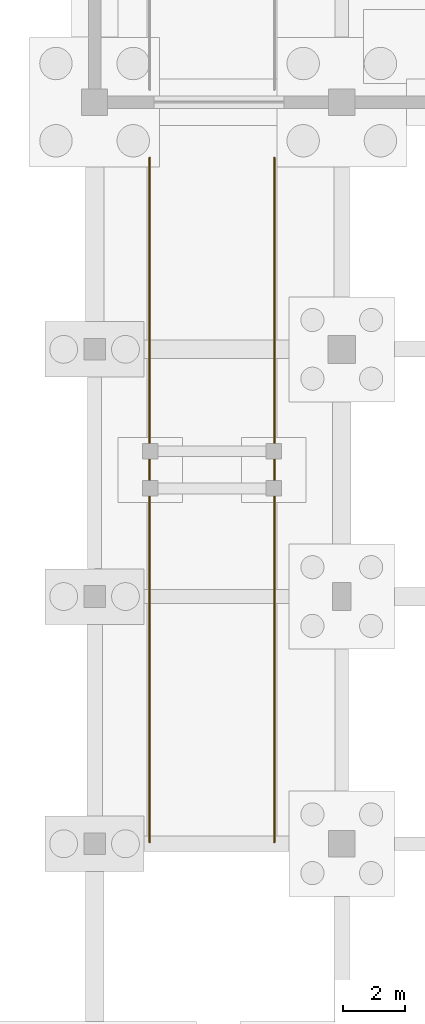
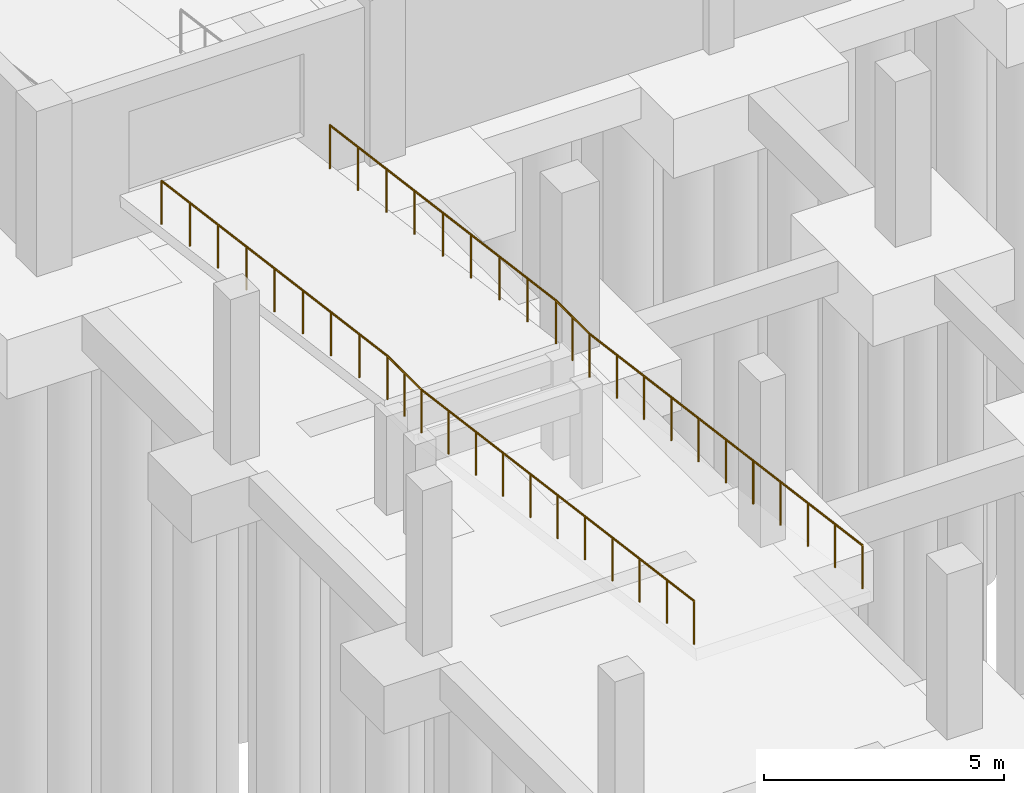
# One storey, part 27 of 32: 2 railings, 1 element without a shape of its own.
"""IFC4 building model written with IfcOpenShell, lengths in metres."""

from ifc_helpers import new_model, si_unit, direction, frame, origin, origin_2d, place, context, subcontext, project, spatial, circle, extrude, material, layer, layer_set, type_object, element, aggregate, save


model = new_model("IFC4")

# Units and contexts
model_context = context("Model", 3, precision=1e-05, world=origin(), true_north=direction((0.0, 1.0)))
body_context = subcontext(model_context, "Body", "Model", "MODEL_VIEW")
ifc_project = project(units=[si_unit("LENGTHUNIT", "METRE"), si_unit("AREAUNIT", "SQUARE_METRE"), si_unit("VOLUMEUNIT", "CUBIC_METRE"), si_unit("PLANEANGLEUNIT", "RADIAN"), si_unit("MASSUNIT", "GRAM", prefix="KILO")], contexts=[model_context])

# Site, building, storey
site_placement = place(None, origin())
site = spatial("IfcSite", under=ifc_project, at=site_placement, CompositionType="ELEMENT")
building_placement = place(site_placement, origin())
building = spatial("IfcBuilding", under=site, at=building_placement, Name="Tenunan Teduh Sports Hall", CompositionType="ELEMENT")
storey_placement = place(building_placement, frame((0.0, 0.0, -4.199951171875)))
storey = spatial("IfcBuildingStorey", under=building, at=storey_placement, Name="B1", CompositionType="ELEMENT", Elevation=-4.199951171875)

# Assembly, railings
ifc_material_1 = material(Name="Concrete C40/50", Category="concrete")
element_assembly_type = type_object("IfcElementAssemblyType", Name="RMP-VEH-B1", PredefinedType="USERDEFINED", material=ifc_material_1)
assembly_placement = place(storey_placement, origin())
assembly = element("IfcElementAssembly", 1, at=assembly_placement, inside=storey, type_object=element_assembly_type, Name="Basement Service Vehicle Two-Flight Ramp", ObjectType="VEHICLE_RAMP", PredefinedType="USERDEFINED")
ifc_material_2 = material(Name="Galvanised and powder-coated steel", Category="steel")
ifc_layer = layer(ifc_material_2, 0.070068359375)
ifc_layer_set = layer_set([ifc_layer], Name="Galvanised and powder-coated steel")
railing_type = type_object("IfcRailingType", Name="RLG-EXT-GRD", PredefinedType="GUARDRAIL", material=ifc_layer_set)
railing_1_placement = place(storey_placement, frame((7.780029296875, 54.050048828125, 4.17333984375)))
railing_1 = element("IfcRailing", 2, at=railing_1_placement, type_object=railing_type, Name="RMP-B1-VEH-GRD-1", PredefinedType="GUARDRAIL", context=body_context, shape_type="SweptSolid", body=[
    extrude(circle(Radius=0.02392578125, at=origin_2d()), frame((0.0, 0.0, 1.09619140625), z_axis=(0.0, 0.991226597122, -0.13217349643), x_axis=(-1.0, 0.0, 0.0)), (0.0, 0.0, 1.0), 11.4501953125),
    extrude(circle(Radius=0.02392578125, at=origin_2d()), frame((0.0, 11.349853515625, -0.41748046875), z_axis=(0.0, 1.0, 0.0), x_axis=(-1.0, 0.0, 0.0)), (0.0, 0.0, 1.0), 1.400146484375),
    extrude(circle(Radius=0.02392578125, at=origin_2d()), frame((0.0, 12.75, -0.41748046875), z_axis=(0.0, 0.991229924183, -0.132148542954), x_axis=(-1.0, 0.0, 0.0)), (0.0, 0.0, 1.0), 9.483154296875),
    extrude(circle(Radius=0.02099609375, at=origin_2d()), origin(), (0.0, 0.0, 1.0), 1.072021484375),
    extrude(circle(Radius=0.02099609375, at=origin_2d()), frame((0.0, 1.135009765625, -0.1513671875)), (0.0, 0.0, 1.0), 1.072021484375),
    extrude(circle(Radius=0.02099609375, at=origin_2d()), frame((0.0, 2.27001953125, -0.302734375)), (0.0, 0.0, 1.0), 1.072021484375),
    extrude(circle(Radius=0.02099609375, at=origin_2d()), frame((0.0, 3.405029296875, -0.4541015625)), (0.0, 0.0, 1.0), 1.072021484375),
    extrude(circle(Radius=0.02099609375, at=origin_2d()), frame((0.0, 4.5400390625, -0.60546875)), (0.0, 0.0, 1.0), 1.072021484375),
    extrude(circle(Radius=0.02099609375, at=origin_2d()), frame((0.0, 5.6748046875, -0.7568359375)), (0.0, 0.0, 1.0), 1.072021484375),
    extrude(circle(Radius=0.02099609375, at=origin_2d()), frame((0.0, 6.809814453125, -0.907958984375)), (0.0, 0.0, 1.0), 1.072021484375),
    extrude(circle(Radius=0.02099609375, at=origin_2d()), frame((0.0, 7.94482421875, -1.059326171875)), (0.0, 0.0, 1.0), 1.072021484375),
    extrude(circle(Radius=0.02099609375, at=origin_2d()), frame((0.0, 9.079833984375, -1.210693359375)), (0.0, 0.0, 1.0), 1.072021484375),
    extrude(circle(Radius=0.02099609375, at=origin_2d()), frame((0.0, 10.21484375, -1.362060546875)), (0.0, 0.0, 1.0), 1.072021484375),
    extrude(circle(Radius=0.02099609375, at=origin_2d()), frame((0.0, 11.349853515625, -1.513427734375)), (0.0, 0.0, 1.0), 1.072021484375),
    extrude(circle(Radius=0.02099609375, at=origin_2d()), frame((0.0, 12.0498046875, -1.513427734375)), (0.0, 0.0, 1.0), 1.072021484375),
    extrude(circle(Radius=0.02099609375, at=origin_2d()), frame((0.0, 12.75, -1.513427734375)), (0.0, 0.0, 1.0), 1.072021484375),
    extrude(circle(Radius=0.02099609375, at=origin_2d()), frame((0.0, 13.925048828125, -1.670166015625)), (0.0, 0.0, 1.0), 1.072021484375),
    extrude(circle(Radius=0.02099609375, at=origin_2d()), frame((0.0, 15.10009765625, -1.82666015625)), (0.0, 0.0, 1.0), 1.072021484375),
    extrude(circle(Radius=0.02099609375, at=origin_2d()), frame((0.0, 16.27490234375, -1.9833984375)), (0.0, 0.0, 1.0), 1.072021484375),
    extrude(circle(Radius=0.02099609375, at=origin_2d()), frame((0.0, 17.449951171875, -2.14013671875)), (0.0, 0.0, 1.0), 1.072021484375),
    extrude(circle(Radius=0.02099609375, at=origin_2d()), frame((0.0, 18.625, -2.296630859375)), (0.0, 0.0, 1.0), 1.072021484375),
    extrude(circle(Radius=0.02099609375, at=origin_2d()), frame((0.0, 19.7998046875, -2.453369140625)), (0.0, 0.0, 1.0), 1.072021484375),
    extrude(circle(Radius=0.02099609375, at=origin_2d()), frame((0.0, 20.974853515625, -2.60986328125)), (0.0, 0.0, 1.0), 1.072021484375),
    extrude(circle(Radius=0.02099609375, at=origin_2d()), frame((0.0, 22.14990234375, -2.7666015625)), (0.0, 0.0, 1.0), 1.072021484375),
])
railing_2_placement = place(storey_placement, frame((11.820068359375, 54.050048828125, 4.17333984375)))
railing_2 = element("IfcRailing", 3, at=railing_2_placement, type_object=railing_type, Name="RMP-B1-VEH-GRD-2", PredefinedType="GUARDRAIL", context=body_context, shape_type="SweptSolid", body=[
    extrude(circle(Radius=0.02392578125, at=origin_2d()), frame((0.0, 0.0, 1.09619140625), z_axis=(0.0, 0.991226597122, -0.13217349643), x_axis=(-1.0, 0.0, 0.0)), (0.0, 0.0, 1.0), 11.4501953125),
    extrude(circle(Radius=0.02392578125, at=origin_2d()), frame((0.0, 11.349853515625, -0.41748046875), z_axis=(0.0, 1.0, 0.0), x_axis=(-1.0, 0.0, 0.0)), (0.0, 0.0, 1.0), 1.400146484375),
    extrude(circle(Radius=0.02392578125, at=origin_2d()), frame((0.0, 12.75, -0.41748046875), z_axis=(0.0, 0.991229924183, -0.132148542954), x_axis=(-1.0, 0.0, 0.0)), (0.0, 0.0, 1.0), 9.483154296875),
    extrude(circle(Radius=0.02099609375, at=origin_2d()), origin(), (0.0, 0.0, 1.0), 1.072021484375),
    extrude(circle(Radius=0.02099609375, at=origin_2d()), frame((0.0, 1.135009765625, -0.1513671875)), (0.0, 0.0, 1.0), 1.072021484375),
    extrude(circle(Radius=0.02099609375, at=origin_2d()), frame((0.0, 2.27001953125, -0.302734375)), (0.0, 0.0, 1.0), 1.072021484375),
    extrude(circle(Radius=0.02099609375, at=origin_2d()), frame((0.0, 3.405029296875, -0.4541015625)), (0.0, 0.0, 1.0), 1.072021484375),
    extrude(circle(Radius=0.02099609375, at=origin_2d()), frame((0.0, 4.5400390625, -0.60546875)), (0.0, 0.0, 1.0), 1.072021484375),
    extrude(circle(Radius=0.02099609375, at=origin_2d()), frame((0.0, 5.6748046875, -0.7568359375)), (0.0, 0.0, 1.0), 1.072021484375),
    extrude(circle(Radius=0.02099609375, at=origin_2d()), frame((0.0, 6.809814453125, -0.907958984375)), (0.0, 0.0, 1.0), 1.072021484375),
    extrude(circle(Radius=0.02099609375, at=origin_2d()), frame((0.0, 7.94482421875, -1.059326171875)), (0.0, 0.0, 1.0), 1.072021484375),
    extrude(circle(Radius=0.02099609375, at=origin_2d()), frame((0.0, 9.079833984375, -1.210693359375)), (0.0, 0.0, 1.0), 1.072021484375),
    extrude(circle(Radius=0.02099609375, at=origin_2d()), frame((0.0, 10.21484375, -1.362060546875)), (0.0, 0.0, 1.0), 1.072021484375),
    extrude(circle(Radius=0.02099609375, at=origin_2d()), frame((0.0, 11.349853515625, -1.513427734375)), (0.0, 0.0, 1.0), 1.072021484375),
    extrude(circle(Radius=0.02099609375, at=origin_2d()), frame((0.0, 12.0498046875, -1.513427734375)), (0.0, 0.0, 1.0), 1.072021484375),
    extrude(circle(Radius=0.02099609375, at=origin_2d()), frame((0.0, 12.75, -1.513427734375)), (0.0, 0.0, 1.0), 1.072021484375),
    extrude(circle(Radius=0.02099609375, at=origin_2d()), frame((0.0, 13.925048828125, -1.670166015625)), (0.0, 0.0, 1.0), 1.072021484375),
    extrude(circle(Radius=0.02099609375, at=origin_2d()), frame((0.0, 15.10009765625, -1.82666015625)), (0.0, 0.0, 1.0), 1.072021484375),
    extrude(circle(Radius=0.02099609375, at=origin_2d()), frame((0.0, 16.27490234375, -1.9833984375)), (0.0, 0.0, 1.0), 1.072021484375),
    extrude(circle(Radius=0.02099609375, at=origin_2d()), frame((0.0, 17.449951171875, -2.14013671875)), (0.0, 0.0, 1.0), 1.072021484375),
    extrude(circle(Radius=0.02099609375, at=origin_2d()), frame((0.0, 18.625, -2.296630859375)), (0.0, 0.0, 1.0), 1.072021484375),
    extrude(circle(Radius=0.02099609375, at=origin_2d()), frame((0.0, 19.7998046875, -2.453369140625)), (0.0, 0.0, 1.0), 1.072021484375),
    extrude(circle(Radius=0.02099609375, at=origin_2d()), frame((0.0, 20.974853515625, -2.60986328125)), (0.0, 0.0, 1.0), 1.072021484375),
    extrude(circle(Radius=0.02099609375, at=origin_2d()), frame((0.0, 22.14990234375, -2.7666015625)), (0.0, 0.0, 1.0), 1.072021484375),
])
aggregate(assembly, [railing_1, railing_2])

save(model, "model.ifc")
